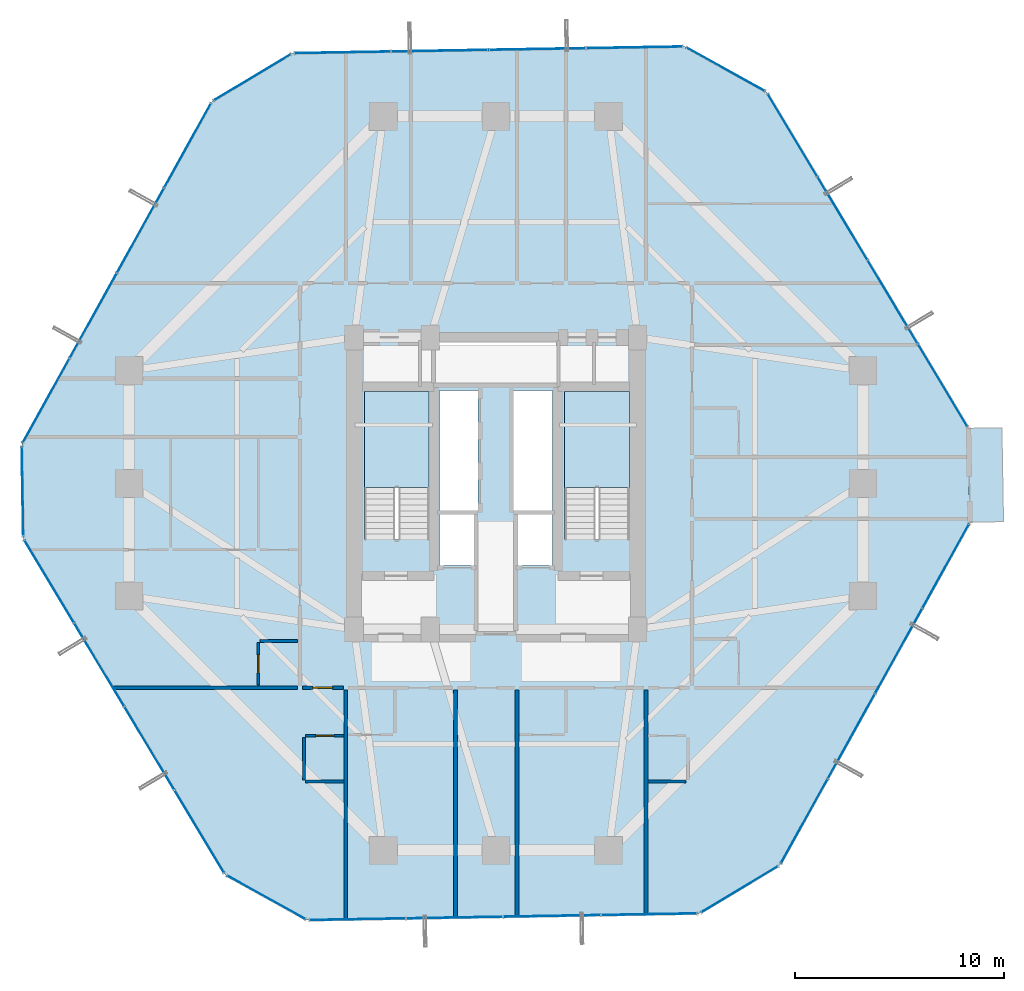
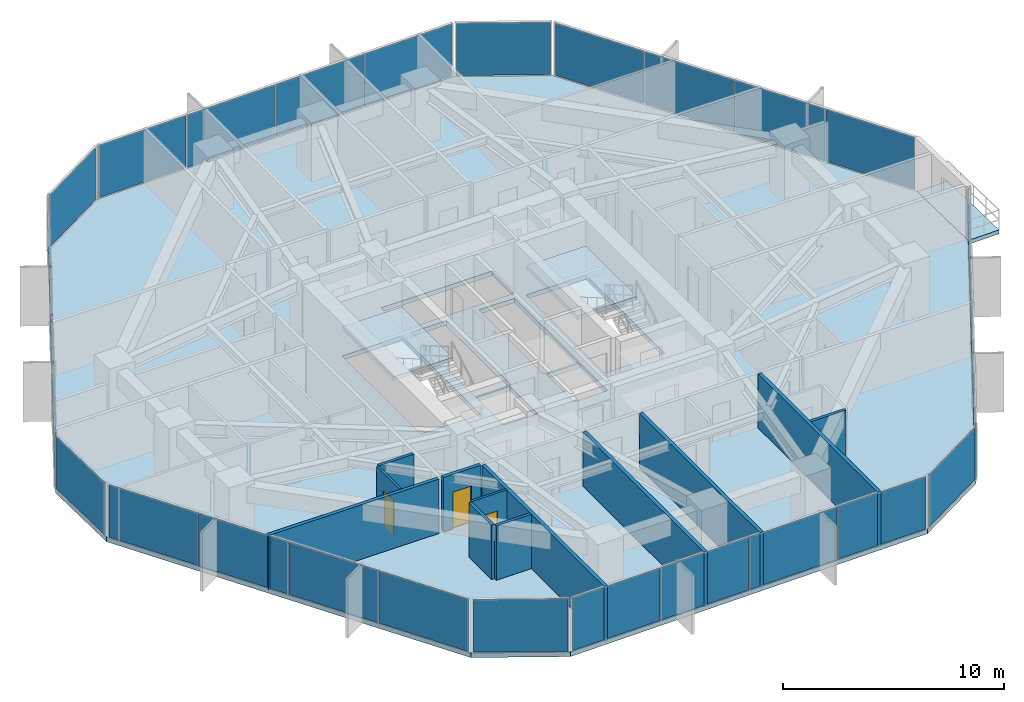
# One storey, part 34 of 39: 29 plates, 12 walls, 4 slabs, 3 doors, 3 openings, 13 elements without a shape of their own.
"""IFC4 building model written with IfcOpenShell, lengths in metres."""

from ifc_helpers import new_model, si_unit, direction, frame, frame_2d, origin, origin_2d, place, context, subcontext, project, spatial, polyline, rectangle, outline, extrude, source, transform, mapped, material, layer, layer_set, type_object, element, fill, aggregate, save


model = new_model("IFC4")

# Units and contexts
model_context = context("Model", 3, precision=1e-05, world=origin(), true_north=direction((0.0, 1.0)))
body_context = subcontext(model_context, "Body", "Model", "MODEL_VIEW")
ifc_project = project(units=[si_unit("LENGTHUNIT", "METRE"), si_unit("AREAUNIT", "SQUARE_METRE"), si_unit("VOLUMEUNIT", "CUBIC_METRE"), si_unit("PLANEANGLEUNIT", "RADIAN"), si_unit("MASSUNIT", "GRAM", prefix="KILO")], contexts=[model_context])

# Site, building, storey
site_placement = place(None, origin())
site = spatial("IfcSite", under=ifc_project, at=site_placement, CompositionType="ELEMENT")
building_placement = place(site_placement, origin())
building = spatial("IfcBuilding", under=site, at=building_placement, Name="Veraguas Prism Commons", CompositionType="ELEMENT")
storey_placement = place(building_placement, frame((0.0, 0.0, 27.300048828125)))
storey = spatial("IfcBuildingStorey", under=building, at=storey_placement, Name="L06", CompositionType="ELEMENT", Elevation=27.300048828125)

# Stair, slab
ifc_material_1 = material(Name="Precast concrete C45/55", Category="concrete")
stair_type = type_object("IfcStairType", Name="Dogleg Core Stair 1480W 20R 05", PredefinedType="HALF_TURN_STAIR", material=ifc_material_1)
stair_1_placement = place(storey_placement, origin())
stair_1 = element("IfcStair", 1, at=stair_1_placement, inside=storey, type_object=stair_type, Name="Protected Exit Stair ST-01 L06", PredefinedType="HALF_TURN_STAIR")
ifc_layer_1 = layer(ifc_material_1, 0.199951171875, Name="Precast Stair and Ramp Landing Slab 200", Category="concrete")
ifc_layer_set_1 = layer_set([ifc_layer_1], Name="Precast concrete C45/55")
slab_type_1 = type_object("IfcSlabType", Name="Precast Stair and Ramp Landing Slab 200", PredefinedType="LANDING", material=ifc_layer_set_1)
slab_1_placement = place(storey_placement, frame((0.0, 0.0, 1.425048828125)))
slab_1 = element("IfcSlab", 2, at=slab_1_placement, type_object=slab_type_1, Name="ST-05 Landing 1", PredefinedType="LANDING", context=body_context, shape_type="SweptSolid", body=[
    extrude(outline(polyline([(20.800048828125, 23.800048828125), (20.800048828125, 28.39990234375), (17.68994140625, 28.39990234375), (17.68994140625, 23.800048828125), (20.800048828125, 23.800048828125)])), origin(), (0.0, 0.0, 1.0), 0.199951171875),
])
aggregate(stair_1, [slab_1])

stair_2_placement = place(storey_placement, origin())
stair_2 = element("IfcStair", 3, at=stair_2_placement, inside=storey, type_object=stair_type, Name="Protected Exit Stair ST-02 L06", PredefinedType="HALF_TURN_STAIR")
slab_2_placement = place(storey_placement, frame((0.0, 0.0, 1.425048828125)))
slab_2 = element("IfcSlab", 4, at=slab_2_placement, type_object=slab_type_1, Name="ST-05 Landing 1", PredefinedType="LANDING", context=body_context, shape_type="SweptSolid", body=[
    extrude(outline(polyline([(30.39990234375, 23.800048828125), (30.39990234375, 28.39990234375), (27.2900390625, 28.39990234375), (27.2900390625, 23.800048828125), (30.39990234375, 23.800048828125)])), origin(), (0.0, 0.0, 1.0), 0.199951171875),
])
aggregate(stair_2, [slab_2])

# Slabs
ifc_material_2 = material(Name="Concrete C45/55", Category="concrete")
ifc_layer_2 = layer(ifc_material_2, 0.219970703125, Name="Recessed Loggia and Terrace Slab RC 220", Category="concrete")
ifc_layer_set_2 = layer_set([ifc_layer_2], Name="Concrete C45/55")
slab_type_2 = type_object("IfcSlabType", Name="Recessed Loggia and Terrace Slab RC 220", PredefinedType="FLOOR", material=ifc_layer_set_2)
slab_3_placement = place(storey_placement, frame((0.0, 0.0, -0.219970703125)))
element("IfcSlab", 5, at=slab_3_placement, inside=storey, type_object=slab_type_2, Name="Recessed Corner Loggia L06-C1", PredefinedType="FLOOR", context=body_context, shape_type="SweptSolid", body=[
    extrude(outline(polyline([(46.716064453125, 22.13818359375), (48.3359375, 22.166015625), (48.259033203125, 26.665283203125), (46.63916015625, 26.6376953125), (46.716064453125, 22.13818359375)])), origin(), (0.0, 0.0, 1.0), 0.219970703125),
])
ifc_layer_3 = layer(ifc_material_2, 0.25, Name="Tower Lower Residential Floor Slab RC 250", Category="concrete")
ifc_layer_set_3 = layer_set([ifc_layer_3], Name="Concrete C45/55")
slab_type_3 = type_object("IfcSlabType", Name="Tower Lower Residential Floor Slab RC 250", PredefinedType="FLOOR", material=ifc_layer_set_3)
slab_4_placement = place(storey_placement, frame((0.0, 0.0, -0.25)))
element("IfcSlab", 6, at=slab_4_placement, inside=storey, type_object=slab_type_3, Name="Tower Floor Slab L06", PredefinedType="FLOOR", context=body_context, shape_type="SweptSolid", body=[
    extrude(outline(polyline([(46.736083984375, 22.138671875), (46.6591796875, 26.637939453125), (36.97998046875, 42.759521484375), (33.045166015625, 44.9423828125), (14.243896484375, 44.620849609375), (10.385986328125, 42.304443359375), (1.263916015625, 25.861328125), (1.3408203125, 21.362060546875), (11.02001953125, 5.240478515625), (14.954833984375, 3.0576171875), (33.756103515625, 3.379150390625), (37.614013671875, 5.695556640625), (46.736083984375, 22.138671875)]), holes=[polyline([(20.800048828125, 21.31005859375), (20.800048828125, 28.39990234375), (17.68994140625, 28.39990234375), (17.68994140625, 21.31005859375), (20.800048828125, 21.31005859375)]), polyline([(30.39990234375, 21.31005859375), (30.39990234375, 28.39990234375), (27.2900390625, 28.39990234375), (27.2900390625, 21.31005859375), (30.39990234375, 21.31005859375)]), polyline([(21.300048828125, 22.64990234375), (23.14990234375, 22.64990234375), (23.14990234375, 28.449951171875), (21.300048828125, 28.449951171875), (21.300048828125, 22.64990234375)]), polyline([(24.85009765625, 22.64990234375), (26.699951171875, 22.64990234375), (26.699951171875, 28.449951171875), (24.85009765625, 28.449951171875), (24.85009765625, 22.64990234375)]), polyline([(21.10009765625, 28.800048828125), (26.89990234375, 28.800048828125), (26.89990234375, 30.800048828125), (21.10009765625, 30.800048828125), (21.10009765625, 28.800048828125)]), polyline([(21.300048828125, 20.050048828125), (23.050048828125, 20.050048828125), (23.050048828125, 22.550048828125), (21.300048828125, 22.550048828125), (21.300048828125, 20.050048828125)]), polyline([(24.949951171875, 20.050048828125), (26.699951171875, 20.050048828125), (26.699951171875, 22.550048828125), (24.949951171875, 22.550048828125), (24.949951171875, 20.050048828125)])]), origin(), (0.0, 0.0, 1.0), 0.25),
])

# Curtain wall, plates
ifc_material_3 = material(Name="Anodised aluminium EN AW-6063 T6", Category="aluminium")
ifc_layer_4 = layer(ifc_material_3, 0.169921875, Name="Unitised Flush Curtain Wall Zone 1", Category="aluminium")
ifc_layer_set_4 = layer_set([ifc_layer_4], Name="Anodised aluminium EN AW-6063 T6")
curtain_wall_type = type_object("IfcCurtainWallType", Name="Unitised Flush Curtain Wall Zone 1", PredefinedType="NOTDEFINED", material=ifc_layer_set_4)
curtain_wall_1_placement = place(storey_placement, origin())
curtain_wall_1 = element("IfcCurtainWall", 7, at=curtain_wall_1_placement, inside=storey, type_object=curtain_wall_type, Name="Tower Facade Curtain Wall L06-F1", PredefinedType="NOTDEFINED")
ifc_material_4 = material(Name="Laminated low-e glass", Category="glass")
ifc_layer_5 = layer(ifc_material_4, 0.028076171875, Name="Unitised Double Low-E Glazed Panel 28", Category="glass")
ifc_layer_set_5 = layer_set([ifc_layer_5], Name="Laminated low-e glass")
plate_type = type_object("IfcPlateType", Name="Unitised Double Low-E Glazed Panel 28", PredefinedType="CURTAIN_PANEL", material=ifc_layer_set_5)
shared_shape_1 = source(origin(), body_context, "Body", "SweptSolid", [
    extrude(rectangle(XDim=4.5810546875, YDim=0.028076171875, at=origin_2d()), origin(), (0.0, 0.0, 1.0), 2.889892578125),
])
plate_1_placement = place(storey_placement, frame((45.41845703125, 28.70458984375, 0.05517578125), z_axis=(0.0, 0.0, 1.0), x_axis=(-0.51473434664, 0.857349725835, 0.0)))
plate_1 = element("IfcPlate", 8, at=plate_1_placement, type_object=plate_type, Name="CW-Z1 Panel 1.1", PredefinedType="CURTAIN_PANEL", context=body_context, shape_type="MappedRepresentation", body=[
    mapped(shared_shape_1, transform((0.0, 0.0, 0.0), scale=1.0)),
])
plate_2_placement = place(storey_placement, frame((38.220947265625, 40.69287109375, 0.05517578125), z_axis=(0.0, 0.0, 1.0), x_axis=(-0.51473434664, 0.857349725835, 0.0)))
plate_2 = element("IfcPlate", 9, at=plate_2_placement, type_object=plate_type, Name="CW-Z1 Panel 4.1", PredefinedType="CURTAIN_PANEL", context=body_context, shape_type="MappedRepresentation", body=[
    mapped(shared_shape_1, transform((0.0, 0.0, 0.0), scale=1.0)),
])

curtain_wall_2_placement = place(storey_placement, origin())
curtain_wall_2 = element("IfcCurtainWall", 10, at=curtain_wall_2_placement, inside=storey, type_object=curtain_wall_type, Name="Tower Facade Curtain Wall L06-F2", PredefinedType="NOTDEFINED")
plate_3_placement = place(storey_placement, frame((30.635009765625, 44.901123046875, 0.05517578125), z_axis=(0.0, 0.0, 1.0), x_axis=(-0.999853696429, -0.017105137769, 0.0)))
plate_3 = element("IfcPlate", 11, at=plate_3_placement, type_object=plate_type, Name="CW-Z1 Panel 1.1", PredefinedType="CURTAIN_PANEL", context=body_context, shape_type="MappedRepresentation", body=[
    mapped(shared_shape_1, transform((0.0, 0.0, 0.0), scale=1.0)),
])
plate_4_placement = place(storey_placement, frame((16.654052734375, 44.662109375, 0.05517578125), z_axis=(0.0, 0.0, 1.0), x_axis=(-0.999853696429, -0.017105137769, 0.0)))
plate_4 = element("IfcPlate", 12, at=plate_4_placement, type_object=plate_type, Name="CW-Z1 Panel 4.1", PredefinedType="CURTAIN_PANEL", context=body_context, shape_type="MappedRepresentation", body=[
    mapped(shared_shape_1, transform((0.0, 0.0, 0.0), scale=1.0)),
])

curtain_wall_3_placement = place(storey_placement, origin())
curtain_wall_3 = element("IfcCurtainWall", 13, at=curtain_wall_3_placement, inside=storey, type_object=curtain_wall_type, Name="Tower Facade Curtain Wall L06-F3", PredefinedType="NOTDEFINED")
plate_5_placement = place(storey_placement, frame((9.216552734375, 40.196533203125, 0.05517578125), z_axis=(0.0, 0.0, 1.0), x_axis=(-0.485116416779, -0.874449576689, 0.0)))
plate_5 = element("IfcPlate", 14, at=plate_5_placement, type_object=plate_type, Name="CW-Z1 Panel 1.1", PredefinedType="CURTAIN_PANEL", context=body_context, shape_type="MappedRepresentation", body=[
    mapped(shared_shape_1, transform((0.0, 0.0, 0.0), scale=1.0)),
])
plate_6_placement = place(storey_placement, frame((2.433349609375, 27.96923828125, 0.05517578125), z_axis=(0.0, 0.0, 1.0), x_axis=(-0.485116416779, -0.874449576689, 0.0)))
plate_6 = element("IfcPlate", 15, at=plate_6_placement, type_object=plate_type, Name="CW-Z1 Panel 4.1", PredefinedType="CURTAIN_PANEL", context=body_context, shape_type="MappedRepresentation", body=[
    mapped(shared_shape_1, transform((0.0, 0.0, 0.0), scale=1.0)),
])

curtain_wall_4_placement = place(storey_placement, origin())
curtain_wall_4 = element("IfcCurtainWall", 16, at=curtain_wall_4_placement, inside=storey, type_object=curtain_wall_type, Name="Tower Facade Curtain Wall L06-F4", PredefinedType="NOTDEFINED")
plate_7_placement = place(storey_placement, frame((2.58154296875, 19.29541015625, 0.05517578125), z_axis=(0.0, 0.0, 1.0), x_axis=(0.51473434664, -0.857349725835, 0.0)))
plate_7 = element("IfcPlate", 17, at=plate_7_placement, type_object=plate_type, Name="CW-Z1 Panel 1.1", PredefinedType="CURTAIN_PANEL", context=body_context, shape_type="MappedRepresentation", body=[
    mapped(shared_shape_1, transform((0.0, 0.0, 0.0), scale=1.0)),
])
plate_8_placement = place(storey_placement, frame((9.779052734375, 7.30712890625, 0.05517578125), z_axis=(0.0, 0.0, 1.0), x_axis=(0.51473434664, -0.857349725835, 0.0)))
plate_8 = element("IfcPlate", 18, at=plate_8_placement, type_object=plate_type, Name="CW-Z1 Panel 4.1", PredefinedType="CURTAIN_PANEL", context=body_context, shape_type="MappedRepresentation", body=[
    mapped(shared_shape_1, transform((0.0, 0.0, 0.0), scale=1.0)),
])

curtain_wall_5_placement = place(storey_placement, origin())
curtain_wall_5 = element("IfcCurtainWall", 19, at=curtain_wall_5_placement, inside=storey, type_object=curtain_wall_type, Name="Tower Facade Curtain Wall L06-F5", PredefinedType="NOTDEFINED")
plate_9_placement = place(storey_placement, frame((17.364990234375, 3.098876953125, 0.05517578125), z_axis=(0.0, 0.0, 1.0), x_axis=(0.999853696429, 0.017105137769, 0.0)))
plate_9 = element("IfcPlate", 20, at=plate_9_placement, type_object=plate_type, Name="CW-Z1 Panel 1.1", PredefinedType="CURTAIN_PANEL", context=body_context, shape_type="MappedRepresentation", body=[
    mapped(shared_shape_1, transform((0.0, 0.0, 0.0), scale=1.0)),
])
plate_10_placement = place(storey_placement, frame((31.345947265625, 3.337890625, 0.05517578125), z_axis=(0.0, 0.0, 1.0), x_axis=(0.999853696429, 0.017105137769, 0.0)))
plate_10 = element("IfcPlate", 21, at=plate_10_placement, type_object=plate_type, Name="CW-Z1 Panel 4.1", PredefinedType="CURTAIN_PANEL", context=body_context, shape_type="MappedRepresentation", body=[
    mapped(shared_shape_1, transform((0.0, 0.0, 0.0), scale=1.0)),
])

curtain_wall_6_placement = place(storey_placement, origin())
curtain_wall_6 = element("IfcCurtainWall", 22, at=curtain_wall_6_placement, inside=storey, type_object=curtain_wall_type, Name="Tower Facade Curtain Wall L06-F6", PredefinedType="NOTDEFINED")
plate_11_placement = place(storey_placement, frame((38.783447265625, 7.803466796875, 0.05517578125), z_axis=(0.0, 0.0, 1.0), x_axis=(0.485116416779, 0.874449576689, 0.0)))
plate_11 = element("IfcPlate", 23, at=plate_11_placement, type_object=plate_type, Name="CW-Z1 Panel 1.1", PredefinedType="CURTAIN_PANEL", context=body_context, shape_type="MappedRepresentation", body=[
    mapped(shared_shape_1, transform((0.0, 0.0, 0.0), scale=1.0)),
])
plate_12_placement = place(storey_placement, frame((45.566650390625, 20.03076171875, 0.05517578125), z_axis=(0.0, 0.0, 1.0), x_axis=(0.485116416779, 0.874449576689, 0.0)))
plate_12 = element("IfcPlate", 24, at=plate_12_placement, type_object=plate_type, Name="CW-Z1 Panel 4.1", PredefinedType="CURTAIN_PANEL", context=body_context, shape_type="MappedRepresentation", body=[
    mapped(shared_shape_1, transform((0.0, 0.0, 0.0), scale=1.0)),
])

# Plate
shared_shape_2 = source(origin(), body_context, "Body", "SweptSolid", [
    extrude(rectangle(XDim=4.611083984375, YDim=0.028076171875, at=origin_2d()), origin(), (0.0, 0.0, 1.0), 2.889892578125),
])
plate_13_placement = place(storey_placement, frame((43.021728515625, 32.6962890625, 0.05517578125), z_axis=(0.0, 0.0, 1.0), x_axis=(-0.51473434664, 0.857349725835, 0.0)))
plate_13 = element("IfcPlate", 25, at=plate_13_placement, type_object=plate_type, Name="CW-Z1 Panel 2.1", PredefinedType="CURTAIN_PANEL", context=body_context, shape_type="MappedRepresentation", body=[
    mapped(shared_shape_2, transform((0.0, 0.0, 0.0), scale=1.0)),
])

plate_14_placement = place(storey_placement, frame((40.617431640625, 36.700927734375, 0.05517578125), z_axis=(0.0, 0.0, 1.0), x_axis=(-0.51473434664, 0.857349725835, 0.0)))
plate_14 = element("IfcPlate", 26, at=plate_14_placement, type_object=plate_type, Name="CW-Z1 Panel 3.1", PredefinedType="CURTAIN_PANEL", context=body_context, shape_type="MappedRepresentation", body=[
    mapped(shared_shape_2, transform((0.0, 0.0, 0.0), scale=1.0)),
])

aggregate(curtain_wall_1, [plate_1, plate_13, plate_14, plate_2])

plate_15_placement = place(storey_placement, frame((4.978271484375, 15.3037109375, 0.05517578125), z_axis=(0.0, 0.0, 1.0), x_axis=(0.51473434664, -0.857349725835, 0.0)))
plate_15 = element("IfcPlate", 27, at=plate_15_placement, type_object=plate_type, Name="CW-Z1 Panel 2.1", PredefinedType="CURTAIN_PANEL", context=body_context, shape_type="MappedRepresentation", body=[
    mapped(shared_shape_2, transform((0.0, 0.0, 0.0), scale=1.0)),
])

plate_16_placement = place(storey_placement, frame((7.382568359375, 11.299072265625, 0.05517578125), z_axis=(0.0, 0.0, 1.0), x_axis=(0.51473434664, -0.857349725835, 0.0)))
plate_16 = element("IfcPlate", 28, at=plate_16_placement, type_object=plate_type, Name="CW-Z1 Panel 3.1", PredefinedType="CURTAIN_PANEL", context=body_context, shape_type="MappedRepresentation", body=[
    mapped(shared_shape_2, transform((0.0, 0.0, 0.0), scale=1.0)),
])

aggregate(curtain_wall_4, [plate_7, plate_15, plate_16, plate_8])

shared_shape_3 = source(origin(), body_context, "Body", "SweptSolid", [
    extrude(rectangle(XDim=4.61083984375, YDim=0.028076171875, at=origin_2d()), origin(), (0.0, 0.0, 1.0), 2.889892578125),
])
plate_17_placement = place(storey_placement, frame((25.979736328125, 44.821533203125, 0.05517578125), z_axis=(0.0, 0.0, 1.0), x_axis=(-0.999853696429, -0.017105137769, 0.0)))
plate_17 = element("IfcPlate", 29, at=plate_17_placement, type_object=plate_type, Name="CW-Z1 Panel 2.1", PredefinedType="CURTAIN_PANEL", context=body_context, shape_type="MappedRepresentation", body=[
    mapped(shared_shape_3, transform((0.0, 0.0, 0.0), scale=1.0)),
])

plate_18_placement = place(storey_placement, frame((21.309326171875, 44.74169921875, 0.05517578125), z_axis=(0.0, 0.0, 1.0), x_axis=(-0.999853696429, -0.017105137769, 0.0)))
plate_18 = element("IfcPlate", 30, at=plate_18_placement, type_object=plate_type, Name="CW-Z1 Panel 3.1", PredefinedType="CURTAIN_PANEL", context=body_context, shape_type="MappedRepresentation", body=[
    mapped(shared_shape_3, transform((0.0, 0.0, 0.0), scale=1.0)),
])

aggregate(curtain_wall_2, [plate_3, plate_17, plate_18, plate_4])

plate_19_placement = place(storey_placement, frame((6.957763671875, 36.125244140625, 0.05517578125), z_axis=(0.0, 0.0, 1.0), x_axis=(-0.485116416779, -0.874449576689, 0.0)))
plate_19 = element("IfcPlate", 31, at=plate_19_placement, type_object=plate_type, Name="CW-Z1 Panel 2.1", PredefinedType="CURTAIN_PANEL", context=body_context, shape_type="MappedRepresentation", body=[
    mapped(shared_shape_3, transform((0.0, 0.0, 0.0), scale=1.0)),
])

plate_20_placement = place(storey_placement, frame((4.69189453125, 32.040771484375, 0.05517578125), z_axis=(0.0, 0.0, 1.0), x_axis=(-0.485116416779, -0.874449576689, 0.0)))
plate_20 = element("IfcPlate", 32, at=plate_20_placement, type_object=plate_type, Name="CW-Z1 Panel 3.1", PredefinedType="CURTAIN_PANEL", context=body_context, shape_type="MappedRepresentation", body=[
    mapped(shared_shape_3, transform((0.0, 0.0, 0.0), scale=1.0)),
])

aggregate(curtain_wall_3, [plate_5, plate_19, plate_20, plate_6])

plate_21_placement = place(storey_placement, frame((22.020263671875, 3.178466796875, 0.05517578125), z_axis=(0.0, 0.0, 1.0), x_axis=(0.999853696429, 0.017105137769, 0.0)))
plate_21 = element("IfcPlate", 33, at=plate_21_placement, type_object=plate_type, Name="CW-Z1 Panel 2.1", PredefinedType="CURTAIN_PANEL", context=body_context, shape_type="MappedRepresentation", body=[
    mapped(shared_shape_3, transform((0.0, 0.0, 0.0), scale=1.0)),
])

plate_22_placement = place(storey_placement, frame((26.690673828125, 3.25830078125, 0.05517578125), z_axis=(0.0, 0.0, 1.0), x_axis=(0.999853696429, 0.017105137769, 0.0)))
plate_22 = element("IfcPlate", 34, at=plate_22_placement, type_object=plate_type, Name="CW-Z1 Panel 3.1", PredefinedType="CURTAIN_PANEL", context=body_context, shape_type="MappedRepresentation", body=[
    mapped(shared_shape_3, transform((0.0, 0.0, 0.0), scale=1.0)),
])

aggregate(curtain_wall_5, [plate_9, plate_21, plate_22, plate_10])

plate_23_placement = place(storey_placement, frame((41.042236328125, 11.874755859375, 0.05517578125), z_axis=(0.0, 0.0, 1.0), x_axis=(0.485116416779, 0.874449576689, 0.0)))
plate_23 = element("IfcPlate", 35, at=plate_23_placement, type_object=plate_type, Name="CW-Z1 Panel 2.1", PredefinedType="CURTAIN_PANEL", context=body_context, shape_type="MappedRepresentation", body=[
    mapped(shared_shape_3, transform((0.0, 0.0, 0.0), scale=1.0)),
])

plate_24_placement = place(storey_placement, frame((43.30810546875, 15.959228515625, 0.05517578125), z_axis=(0.0, 0.0, 1.0), x_axis=(0.485116416779, 0.874449576689, 0.0)))
plate_24 = element("IfcPlate", 36, at=plate_24_placement, type_object=plate_type, Name="CW-Z1 Panel 3.1", PredefinedType="CURTAIN_PANEL", context=body_context, shape_type="MappedRepresentation", body=[
    mapped(shared_shape_3, transform((0.0, 0.0, 0.0), scale=1.0)),
])

aggregate(curtain_wall_6, [plate_11, plate_23, plate_24, plate_12])

# Curtain wall, plate
curtain_wall_7_placement = place(storey_placement, origin())
curtain_wall_7 = element("IfcCurtainWall", 37, at=curtain_wall_7_placement, inside=storey, type_object=curtain_wall_type, Name="Chamfer Curtain Wall L06-C2", PredefinedType="NOTDEFINED")
shared_shape_4 = source(origin(), body_context, "Body", "SweptSolid", [
    extrude(rectangle(XDim=4.260009765625, YDim=0.028076171875, at=origin_2d()), origin(), (0.0, 0.0, 1.0), 2.889892578125),
])
plate_25_placement = place(storey_placement, frame((35.0126953125, 43.850830078125, 0.05517578125), z_axis=(0.0, 0.0, 1.0), x_axis=(-0.874445343216, 0.485124047773, 0.0)))
plate_25 = element("IfcPlate", 38, at=plate_25_placement, type_object=plate_type, Name="CW-Z1 Panel 1.1", PredefinedType="CURTAIN_PANEL", context=body_context, shape_type="MappedRepresentation", body=[
    mapped(shared_shape_4, transform((0.0, 0.0, 0.0), scale=1.0)),
])
aggregate(curtain_wall_7, [plate_25])

curtain_wall_8_placement = place(storey_placement, origin())
curtain_wall_8 = element("IfcCurtainWall", 39, at=curtain_wall_8_placement, inside=storey, type_object=curtain_wall_type, Name="Chamfer Curtain Wall L06-C3", PredefinedType="NOTDEFINED")
plate_26_placement = place(storey_placement, frame((12.31494140625, 43.462646484375, 0.05517578125), z_axis=(0.0, 0.0, 1.0), x_axis=(-0.857349725835, -0.51473434664, 0.0)))
plate_26 = element("IfcPlate", 40, at=plate_26_placement, type_object=plate_type, Name="CW-Z1 Panel 1.1", PredefinedType="CURTAIN_PANEL", context=body_context, shape_type="MappedRepresentation", body=[
    mapped(shared_shape_4, transform((0.0, 0.0, 0.0), scale=1.0)),
])
aggregate(curtain_wall_8, [plate_26])

curtain_wall_9_placement = place(storey_placement, origin())
curtain_wall_9 = element("IfcCurtainWall", 41, at=curtain_wall_9_placement, inside=storey, type_object=curtain_wall_type, Name="Chamfer Curtain Wall L06-C4", PredefinedType="NOTDEFINED")
plate_27_placement = place(storey_placement, frame((1.30224609375, 23.61181640625, 0.05517578125), z_axis=(0.0, 0.0, 1.0), x_axis=(0.017099902547, -0.999853785977, 0.0)))
plate_27 = element("IfcPlate", 42, at=plate_27_placement, type_object=plate_type, Name="CW-Z1 Panel 1.1", PredefinedType="CURTAIN_PANEL", context=body_context, shape_type="MappedRepresentation", body=[
    mapped(shared_shape_4, transform((0.0, 0.0, 0.0), scale=1.0)),
])
aggregate(curtain_wall_9, [plate_27])

curtain_wall_10_placement = place(storey_placement, origin())
curtain_wall_10 = element("IfcCurtainWall", 43, at=curtain_wall_10_placement, inside=storey, type_object=curtain_wall_type, Name="Chamfer Curtain Wall L06-C5", PredefinedType="NOTDEFINED")
plate_28_placement = place(storey_placement, frame((12.9873046875, 4.149169921875, 0.05517578125), z_axis=(0.0, 0.0, 1.0), x_axis=(0.874445343216, -0.485124047773, 0.0)))
plate_28 = element("IfcPlate", 44, at=plate_28_placement, type_object=plate_type, Name="CW-Z1 Panel 1.1", PredefinedType="CURTAIN_PANEL", context=body_context, shape_type="MappedRepresentation", body=[
    mapped(shared_shape_4, transform((0.0, 0.0, 0.0), scale=1.0)),
])
aggregate(curtain_wall_10, [plate_28])

curtain_wall_11_placement = place(storey_placement, origin())
curtain_wall_11 = element("IfcCurtainWall", 45, at=curtain_wall_11_placement, inside=storey, type_object=curtain_wall_type, Name="Chamfer Curtain Wall L06-C6", PredefinedType="NOTDEFINED")
plate_29_placement = place(storey_placement, frame((35.68505859375, 4.537353515625, 0.05517578125), z_axis=(0.0, 0.0, 1.0), x_axis=(0.857349725835, 0.51473434664, 0.0)))
plate_29 = element("IfcPlate", 46, at=plate_29_placement, type_object=plate_type, Name="CW-Z1 Panel 1.1", PredefinedType="CURTAIN_PANEL", context=body_context, shape_type="MappedRepresentation", body=[
    mapped(shared_shape_4, transform((0.0, 0.0, 0.0), scale=1.0)),
])
aggregate(curtain_wall_11, [plate_29])

# Walls
ifc_material_5 = material(Name="Autoclaved aerated masonry block 10 MPa", Category="masonry")
ifc_layer_6 = layer(ifc_material_5, 0.179931640625, Name="Corridor and Inter-Tenancy Partition 180", Category="masonry")
ifc_layer_set_6 = layer_set([ifc_layer_6], Name="Autoclaved aerated masonry block 10 MPa")
wall_type_1 = type_object("IfcWallType", Name="Corridor and Inter-Tenancy Partition 180", PredefinedType="PARTITIONING", material=ifc_layer_set_6)
wall_1_placement = place(storey_placement, frame((16.800048828125, 14.080078125, 0.0), z_axis=(0.0, 0.0, 1.0), x_axis=(0.0, -1.0, 0.0)))
element("IfcWall", 47, at=wall_1_placement, inside=storey, type_object=wall_type_1, Name="WL-L06-PT001", PredefinedType="PARTITIONING", context=body_context, shape_type="SweptSolid", body=[
    extrude(rectangle(XDim=11.02099609375, YDim=0.179931640625, at=frame_2d((5.510498046875, 0.0))), origin(), (0.0, 0.0, 1.0), 3.0),
])
wall_2_placement = place(storey_placement, frame((31.199951171875, 14.080078125, 0.0), z_axis=(0.0, 0.0, 1.0), x_axis=(0.0, -1.0, 0.0)))
element("IfcWall", 48, at=wall_2_placement, inside=storey, type_object=wall_type_1, Name="WL-L06-PT002", PredefinedType="PARTITIONING", context=body_context, shape_type="SweptSolid", body=[
    extrude(rectangle(XDim=10.774658203125, YDim=0.179931640625, at=frame_2d((5.38720703125, 0.0))), origin(), (0.0, 0.0, 1.0), 3.0),
])
wall_3_placement = place(storey_placement, frame((22.05810546875, 14.080078125, 0.0), z_axis=(0.0, 0.0, 1.0), x_axis=(0.0, -1.0, 0.0)))
element("IfcWall", 49, at=wall_3_placement, inside=storey, type_object=wall_type_1, Name="WL-L06-PT004", PredefinedType="PARTITIONING", context=body_context, shape_type="SweptSolid", body=[
    extrude(rectangle(XDim=10.930908203125, YDim=0.179931640625, at=frame_2d((5.46533203125, 0.0))), origin(), (0.0, 0.0, 1.0), 3.0),
])
wall_4_placement = place(storey_placement, frame((25.008056640625, 14.080078125, 0.0), z_axis=(0.0, 0.0, 1.0), x_axis=(0.0, -1.0, 0.0)))
element("IfcWall", 50, at=wall_4_placement, inside=storey, type_object=wall_type_1, Name="WL-L06-PT008", PredefinedType="PARTITIONING", context=body_context, shape_type="SweptSolid", body=[
    extrude(rectangle(XDim=10.88037109375, YDim=0.179931640625, at=frame_2d((5.440185546875, 0.0))), origin(), (0.0, 0.0, 1.0), 3.0),
])
wall_5_placement = place(storey_placement, frame((14.47998046875, 14.199951171875, 0.0), z_axis=(0.0, 0.0, 1.0), x_axis=(-1.0, 0.0, 0.0)))
element("IfcWall", 51, at=wall_5_placement, inside=storey, type_object=wall_type_1, Name="WL-L06-PT021", PredefinedType="PARTITIONING", context=body_context, shape_type="SweptSolid", body=[
    extrude(rectangle(XDim=8.874267578125, YDim=0.179931640625, at=frame_2d((4.43701171875, 0.0))), origin(), (0.0, 0.0, 1.0), 3.0),
])

# Wall, opening, door
wall_6_placement = place(storey_placement, frame((14.719970703125, 14.199951171875, 0.0), z_axis=(0.0, 0.0, 1.0), x_axis=(1.0, 0.0, 0.0)))
wall_6 = element("IfcWall", 52, at=wall_6_placement, inside=storey, type_object=wall_type_1, Name="WL-L06-PT048", PredefinedType="PARTITIONING", context=body_context, shape_type="SweptSolid", body=[
    extrude(rectangle(XDim=1.9599609375, YDim=0.179931640625, at=frame_2d((0.97998046875, 0.0))), origin(), (0.0, 0.0, 1.0), 3.0),
])
opening_1_placement = place(wall_6_placement, frame((0.5048828125, 0.0, 0.0)))
opening_1 = element("IfcOpeningElement", 53, at=opening_1_placement, cuts=wall_6, Name="Opening DR-01", PredefinedType="OPENING", context=body_context, shape_type="SweptSolid", body=[
    extrude(rectangle(XDim=0.949951171875, YDim=2.02001953125, at=frame_2d((0.47509765625, 1.010009765625))), frame((0.0, 0.099853515625, 0.0), z_axis=(0.0, -1.0, 0.0), x_axis=(1.0, 0.0, 0.0)), (0.0, 0.0, 1.0), 0.199951171875),
])
door_type_1 = type_object("IfcDoorType", Name="Apartment Entrance Fire Door 950x2020", OperationType="NOTDEFINED", PredefinedType="DOOR", material=ifc_material_3)
shared_shape_5 = source(origin(), body_context, "Body", "SweptSolid", [
    extrude(rectangle(XDim=0.949951171875, YDim=2.02001953125, at=frame_2d((0.47509765625, 1.010009765625))), frame((0.0, 0.02490234375, 0.0), z_axis=(0.0, -1.0, 0.0), x_axis=(1.0, 0.0, 0.0)), (0.0, 0.0, 1.0), 0.050048828125),
])
door_1_placement = place(opening_1_placement, origin())
door_1 = element("IfcDoor", 54, at=door_1_placement, inside=storey, type_object=door_type_1, Name="Studio 06F Entrance Door", OperationType="SINGLE_SWING_LEFT", OverallHeight=2.02001953125, OverallWidth=0.949951171875, PredefinedType="DOOR", context=body_context, shape_type="MappedRepresentation", body=[
    mapped(shared_shape_5, transform((0.0, 0.0, 0.0), scale=1.0)),
])
fill(opening_1, door_1)

ifc_material_6 = material(Name="Lightweight acoustic gypsum board")
ifc_layer_7 = layer(ifc_material_6, 0.125, Name="Internal Apartment Room Partition 125")
ifc_layer_set_7 = layer_set([ifc_layer_7], Name="Lightweight acoustic gypsum board")
wall_type_2 = type_object("IfcWallType", Name="Internal Apartment Room Partition 125", PredefinedType="PARTITIONING", material=ifc_layer_set_7)
wall_7_placement = place(storey_placement, frame((12.60009765625, 14.320068359375, 0.0), z_axis=(0.0, 0.0, 1.0), x_axis=(0.0, 1.0, 0.0)))
wall_7 = element("IfcWall", 55, at=wall_7_placement, inside=storey, type_object=wall_type_2, Name="WL-L06-PT025", PredefinedType="PARTITIONING", context=body_context, shape_type="SweptSolid", body=[
    extrude(rectangle(XDim=2.050048828125, YDim=0.125, at=frame_2d((1.02490234375, 0.0))), origin(), (0.0, 0.0, 1.0), 3.0),
])
opening_2_placement = place(wall_7_placement, frame((0.594970703125, 0.0, 0.0)))
opening_2 = element("IfcOpeningElement", 56, at=opening_2_placement, cuts=wall_7, Name="Opening DR-03", PredefinedType="OPENING", context=body_context, shape_type="SweptSolid", body=[
    extrude(rectangle(XDim=0.860107421875, YDim=2.010009765625, at=frame_2d((0.43017578125, 1.0048828125))), frame((0.0, 0.072509765625, 0.0), z_axis=(0.0, -1.0, 0.0), x_axis=(1.0, 0.0, 0.0)), (0.0, 0.0, 1.0), 0.14501953125),
])
ifc_material_7 = material(Name="Timber moisture-resistant leaf", Category="wood")
door_type_2 = type_object("IfcDoorType", Name="Internal Bathroom Door 860x2010", OperationType="NOTDEFINED", PredefinedType="DOOR", material=ifc_material_7)
shared_shape_6 = source(origin(), body_context, "Body", "SweptSolid", [
    extrude(rectangle(XDim=0.860107421875, YDim=2.010009765625, at=frame_2d((0.43017578125, 1.0048828125))), frame((0.0, 0.02490234375, 0.0), z_axis=(0.0, -1.0, 0.0), x_axis=(1.0, 0.0, 0.0)), (0.0, 0.0, 1.0), 0.050048828125),
])
door_2_placement = place(opening_2_placement, origin())
door_2 = element("IfcDoor", 57, at=door_2_placement, inside=storey, type_object=door_type_2, Name="Flat 06C Bathroom Door", OperationType="SINGLE_SWING_LEFT", OverallHeight=2.010009765625, OverallWidth=0.860107421875, PredefinedType="DOOR", context=body_context, shape_type="MappedRepresentation", body=[
    mapped(shared_shape_6, transform((0.0, 0.0, 0.0), scale=1.0)),
])
fill(opening_2, door_2)

wall_8_placement = place(storey_placement, frame((14.8798828125, 11.89990234375, 0.0), z_axis=(0.0, 0.0, 1.0), x_axis=(1.0, 0.0, 0.0)))
wall_8 = element("IfcWall", 58, at=wall_8_placement, inside=storey, type_object=wall_type_2, Name="WL-L06-PT049", PredefinedType="PARTITIONING", context=body_context, shape_type="SweptSolid", body=[
    extrude(rectangle(XDim=1.840087890625, YDim=0.125, at=frame_2d((0.919921875, 0.0))), origin(), (0.0, 0.0, 1.0), 3.0),
])
opening_3_placement = place(wall_8_placement, frame((0.489990234375, 0.0, 0.0)))
opening_3 = element("IfcOpeningElement", 59, at=opening_3_placement, cuts=wall_8, Name="Opening DR-03", PredefinedType="OPENING", context=body_context, shape_type="SweptSolid", body=[
    extrude(rectangle(XDim=0.860107421875, YDim=2.010009765625, at=frame_2d((0.43017578125, 1.0048828125))), frame((0.0, 0.072509765625, 0.0), z_axis=(0.0, -1.0, 0.0), x_axis=(1.0, 0.0, 0.0)), (0.0, 0.0, 1.0), 0.14501953125),
])
door_3_placement = place(opening_3_placement, origin())
door_3 = element("IfcDoor", 60, at=door_3_placement, inside=storey, type_object=door_type_2, Name="Studio 06F Bathroom Door", OperationType="SINGLE_SWING_RIGHT", OverallHeight=2.010009765625, OverallWidth=0.860107421875, PredefinedType="DOOR", context=body_context, shape_type="MappedRepresentation", body=[
    mapped(shared_shape_6, transform((0.0, 0.0, 0.0), scale=1.0)),
])
fill(opening_3, door_3)

# Walls
ifc_layer_8 = layer(ifc_material_6, 0.14990234375, Name="Wet Room and Clinic Acoustic Partition 150")
ifc_layer_set_8 = layer_set([ifc_layer_8], Name="Lightweight acoustic gypsum board")
wall_type_3 = type_object("IfcWallType", Name="Wet Room and Clinic Acoustic Partition 150", PredefinedType="PARTITIONING", material=ifc_layer_set_8)
wall_9_placement = place(storey_placement, frame((14.47998046875, 16.449951171875, 0.0), z_axis=(0.0, 0.0, 1.0), x_axis=(-1.0, 0.0, 0.0)))
element("IfcWall", 61, at=wall_9_placement, inside=storey, type_object=wall_type_3, Name="WL-L06-PT024", PredefinedType="PARTITIONING", context=body_context, shape_type="SweptSolid", body=[
    extrude(rectangle(XDim=1.800048828125, YDim=0.14990234375, at=frame_2d((0.89990234375, 0.0))), origin(), (0.0, 0.0, 1.0), 3.0),
])
wall_10_placement = place(storey_placement, frame((14.8798828125, 9.699951171875, 0.0), z_axis=(0.0, 0.0, 1.0), x_axis=(1.0, 0.0, 0.0)))
element("IfcWall", 62, at=wall_10_placement, inside=storey, type_object=wall_type_3, Name="WL-L06-PT050", PredefinedType="PARTITIONING", context=body_context, shape_type="SweptSolid", body=[
    extrude(rectangle(XDim=1.840087890625, YDim=0.14990234375, at=frame_2d((0.919921875, 0.0))), origin(), (0.0, 0.0, 1.0), 3.0),
])
wall_11_placement = place(storey_placement, frame((14.800048828125, 9.780029296875, 0.0), z_axis=(0.0, 0.0, 1.0), x_axis=(0.0, 1.0, 0.0)))
element("IfcWall", 63, at=wall_11_placement, inside=storey, type_object=wall_type_3, Name="WL-L06-PT051", PredefinedType="PARTITIONING", context=body_context, shape_type="SweptSolid", body=[
    extrude(rectangle(XDim=2.0400390625, YDim=0.14990234375, at=frame_2d((1.02001953125, 0.0))), origin(), (0.0, 0.0, 1.0), 3.0),
])
wall_12_placement = place(storey_placement, frame((31.280029296875, 9.699951171875, 0.0), z_axis=(0.0, 0.0, 1.0), x_axis=(1.0, 0.0, 0.0)))
element("IfcWall", 64, at=wall_12_placement, inside=storey, type_object=wall_type_3, Name="WL-L06-PT054", PredefinedType="PARTITIONING", context=body_context, shape_type="SweptSolid", body=[
    extrude(rectangle(XDim=1.840087890625, YDim=0.14990234375, at=frame_2d((0.919921875, 0.0))), origin(), (0.0, 0.0, 1.0), 3.0),
])

save(model, "model.ifc")
